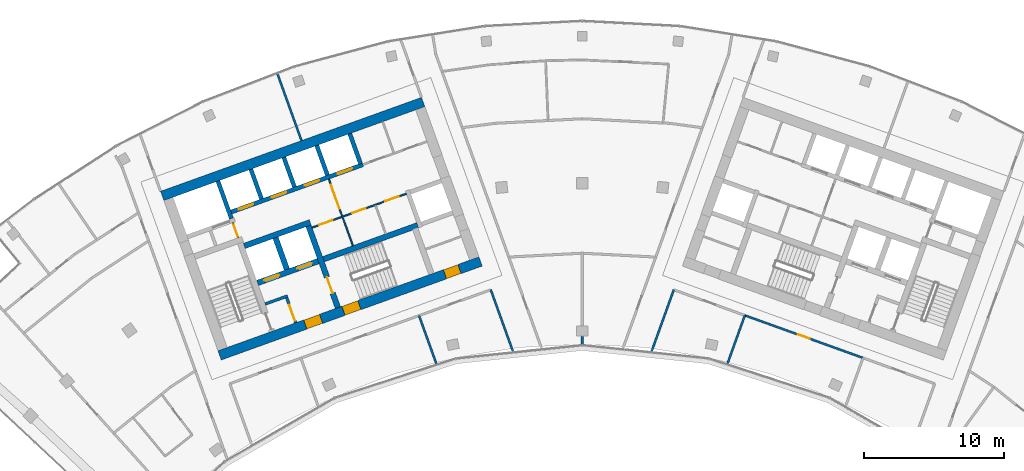
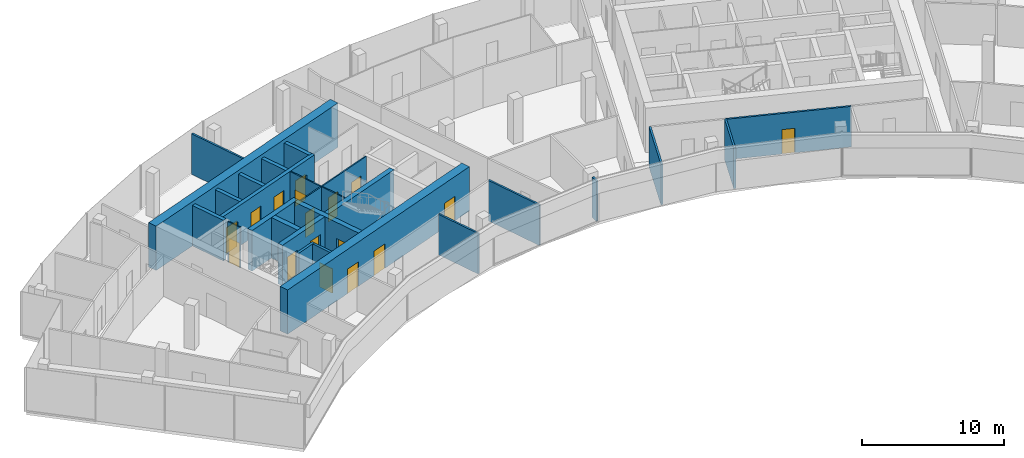
# One storey, part 13 of 18: 24 walls, 17 doors, 17 openings.
"""IFC4 building model written with IfcOpenShell, lengths in metres."""

from ifc_helpers import new_model, si_unit, direction, frame, frame_2d, origin, place, context, subcontext, project, spatial, rectangle, extrude, material, layer, layer_set, type_object, element, fill, save


model = new_model("IFC4")

# Units and contexts
model_context = context("Model", 3, precision=1e-05, world=origin(), true_north=direction((0.0, 1.0)))
body_context = subcontext(model_context, "Body", "Model", "MODEL_VIEW")
ifc_project = project(units=[si_unit("LENGTHUNIT", "METRE"), si_unit("AREAUNIT", "SQUARE_METRE"), si_unit("VOLUMEUNIT", "CUBIC_METRE"), si_unit("PLANEANGLEUNIT", "RADIAN"), si_unit("MASSUNIT", "GRAM", prefix="KILO")], contexts=[model_context])

# Site, building, storey
site_placement = place(None, origin())
site = spatial("IfcSite", under=ifc_project, at=site_placement, CompositionType="ELEMENT")
building_placement = place(site_placement, origin())
building = spatial("IfcBuilding", under=site, at=building_placement, Name="Stone Belt Terrace Tower", CompositionType="ELEMENT")
storey_placement = place(building_placement, frame((0.0, 0.0, 265.60009765625)))
storey = spatial("IfcBuildingStorey", under=building, at=storey_placement, Name="L64", CompositionType="ELEMENT", Elevation=265.60009765625)

# Wall, opening, door
ifc_material_1 = material(Name="Plasterboard partition")
ifc_layer_1 = layer(ifc_material_1, 0.10009765625)
ifc_layer_set_1 = layer_set([ifc_layer_1], Name="Core partition 100")
wall_type_1 = type_object("IfcWallType", Name="Core partition 100", PredefinedType="PARTITIONING", material=ifc_layer_set_1)
wall_1_placement = place(storey_placement, frame((-24.555908203125, 51.10400390625, 0.0), z_axis=(0.0, 0.0, 1.0), x_axis=(-0.338621735342, 0.94092258999, 0.0)))
wall_1 = element("IfcWall", 1, at=wall_1_placement, inside=storey, type_object=wall_type_1, Name="Core A wall", PredefinedType="PARTITIONING", context=body_context, shape_type="SweptSolid", body=[
    extrude(rectangle(XDim=1.14990234375, YDim=0.10009765625, at=frame_2d((0.574951171875, 0.0))), origin(), (0.0, 0.0, 1.0), 3.47998046875),
])
opening_1_placement = place(wall_1_placement, frame((0.050048828125, 0.0, 0.0)))
opening_1 = element("IfcOpeningElement", 2, at=opening_1_placement, cuts=wall_1, Name="Opening L64-C07", PredefinedType="OPENING", context=body_context, shape_type="SweptSolid", body=[
    extrude(rectangle(XDim=1.0, YDim=2.10009765625, at=frame_2d((0.5, 1.050048828125))), frame((0.0, 0.06005859375, 0.0), z_axis=(0.0, -1.0, 0.0), x_axis=(1.0, 0.0, 0.0)), (0.0, 0.0, 1.0), 0.1201171875),
])
ifc_material_2 = material(Name="Timber door leaf", Category="wood")
door_type_1 = type_object("IfcDoorType", Name="Core room door 1000", OperationType="SINGLE_SWING_LEFT", PredefinedType="DOOR", material=ifc_material_2)
door_1_placement = place(opening_1_placement, origin())
door_1 = element("IfcDoor", 3, at=door_1_placement, inside=storey, type_object=door_type_1, Name="Service lift lobby door core A", OperationType="SINGLE_SWING_LEFT", OverallHeight=2.10009765625, OverallWidth=1.0, PredefinedType="DOOR", context=body_context, shape_type="SweptSolid", body=[
    extrude(rectangle(XDim=1.0, YDim=2.10009765625, at=frame_2d((0.5, 1.050048828125))), frame((0.0, 0.02490234375, 0.0), z_axis=(0.0, -1.0, 0.0), x_axis=(1.0, 0.0, 0.0)), (0.0, 0.0, 1.0), 0.050048828125),
])
fill(opening_1, door_1)

# Wall, openings, doors
wall_2_placement = place(storey_placement, frame((-19.29052734375, 51.829833984375, 0.0), z_axis=(0.0, 0.0, 1.0), x_axis=(0.94092179465, 0.338623945331, 0.0)))
wall_2 = element("IfcWall", 4, at=wall_2_placement, inside=storey, type_object=wall_type_1, Name="Core A wall", PredefinedType="PARTITIONING", context=body_context, shape_type="SweptSolid", body=[
    extrude(rectangle(XDim=7.14990234375, YDim=0.10009765625, at=frame_2d((3.574951171875, 0.0))), origin(), (0.0, 0.0, 1.0), 3.47998046875),
])
opening_2_placement = place(wall_2_placement, frame((0.550048828125, 0.0, 0.0)))
opening_2 = element("IfcOpeningElement", 5, at=opening_2_placement, cuts=wall_2, Name="Opening L64-C03", PredefinedType="OPENING", context=body_context, shape_type="SweptSolid", body=[
    extrude(rectangle(XDim=1.0, YDim=2.10009765625, at=frame_2d((0.5, 1.050048828125))), frame((0.0, 0.06005859375, 0.0), z_axis=(0.0, -1.0, 0.0), x_axis=(1.0, 0.0, 0.0)), (0.0, 0.0, 1.0), 0.1201171875),
])
opening_3_placement = place(wall_2_placement, frame((3.050048828125, 0.0, 0.0)))
opening_3 = element("IfcOpeningElement", 6, at=opening_3_placement, cuts=wall_2, Name="Opening L64-C04", PredefinedType="OPENING", context=body_context, shape_type="SweptSolid", body=[
    extrude(rectangle(XDim=1.0, YDim=2.10009765625, at=frame_2d((0.5, 1.050048828125))), frame((0.0, 0.06005859375, 0.0), z_axis=(0.0, -1.0, 0.0), x_axis=(1.0, 0.0, 0.0)), (0.0, 0.0, 1.0), 0.1201171875),
])
opening_4_placement = place(wall_2_placement, frame((5.550048828125, 0.0, 0.0)))
opening_4 = element("IfcOpeningElement", 7, at=opening_4_placement, cuts=wall_2, Name="Opening L64-C05", PredefinedType="OPENING", context=body_context, shape_type="SweptSolid", body=[
    extrude(rectangle(XDim=1.0, YDim=2.10009765625, at=frame_2d((0.5, 1.050048828125))), frame((0.0, 0.06005859375, 0.0), z_axis=(0.0, -1.0, 0.0), x_axis=(1.0, 0.0, 0.0)), (0.0, 0.0, 1.0), 0.1201171875),
])
door_2_placement = place(opening_2_placement, origin())
door_2 = element("IfcDoor", 8, at=door_2_placement, inside=storey, type_object=door_type_1, Name="Door to Housekeeping store core A", OperationType="SINGLE_SWING_LEFT", OverallHeight=2.10009765625, OverallWidth=1.0, PredefinedType="DOOR", context=body_context, shape_type="SweptSolid", body=[
    extrude(rectangle(XDim=1.0, YDim=2.10009765625, at=frame_2d((0.5, 1.050048828125))), frame((0.0, 0.02490234375, 0.0), z_axis=(0.0, -1.0, 0.0), x_axis=(1.0, 0.0, 0.0)), (0.0, 0.0, 1.0), 0.050048828125),
])
fill(opening_2, door_2)
door_3_placement = place(opening_3_placement, origin())
door_3 = element("IfcDoor", 9, at=door_3_placement, inside=storey, type_object=door_type_1, Name="Door to Tenant storage room core A", OperationType="SINGLE_SWING_RIGHT", OverallHeight=2.10009765625, OverallWidth=1.0, PredefinedType="DOOR", context=body_context, shape_type="SweptSolid", body=[
    extrude(rectangle(XDim=1.0, YDim=2.10009765625, at=frame_2d((0.5, 1.050048828125))), frame((0.0, 0.02490234375, 0.0), z_axis=(0.0, -1.0, 0.0), x_axis=(1.0, 0.0, 0.0)), (0.0, 0.0, 1.0), 0.050048828125),
])
fill(opening_3, door_3)
door_4_placement = place(opening_4_placement, origin())
door_4 = element("IfcDoor", 10, at=door_4_placement, inside=storey, type_object=door_type_1, Name="Door to Communications hub room core A", OperationType="SINGLE_SWING_LEFT", OverallHeight=2.10009765625, OverallWidth=1.0, PredefinedType="DOOR", context=body_context, shape_type="SweptSolid", body=[
    extrude(rectangle(XDim=1.0, YDim=2.10009765625, at=frame_2d((0.5, 1.050048828125))), frame((0.0, 0.02490234375, 0.0), z_axis=(0.0, -1.0, 0.0), x_axis=(1.0, 0.0, 0.0)), (0.0, 0.0, 1.0), 0.050048828125),
])
fill(opening_4, door_4)

# Wall, opening, door
wall_3_placement = place(storey_placement, frame((-16.38134765625, 50.53857421875, 0.0), z_axis=(0.0, 0.0, 1.0), x_axis=(-0.33860476744, 0.940928696271, 0.0)))
wall_3 = element("IfcWall", 11, at=wall_3_placement, inside=storey, type_object=wall_type_1, Name="Core A wall", PredefinedType="PARTITIONING", context=body_context, shape_type="SweptSolid", body=[
    extrude(rectangle(XDim=5.050048828125, YDim=0.10009765625, at=frame_2d((2.52490234375, 0.0))), origin(), (0.0, 0.0, 1.0), 3.47998046875),
])
opening_5_placement = place(wall_3_placement, frame((2.800048828125, 0.0, 0.0)))
opening_5 = element("IfcOpeningElement", 12, at=opening_5_placement, cuts=wall_3, Name="Opening L64-C08", PredefinedType="OPENING", context=body_context, shape_type="SweptSolid", body=[
    extrude(rectangle(XDim=1.800048828125, YDim=2.10009765625, at=frame_2d((0.89990234375, 1.050048828125))), frame((0.0, 0.06005859375, 0.0), z_axis=(0.0, -1.0, 0.0), x_axis=(1.0, 0.0, 0.0)), (0.0, 0.0, 1.0), 0.1201171875),
])
ifc_material_3 = material(Name="Glazed aluminium door leaf", Category="aluminium")
door_type_2 = type_object("IfcDoorType", Name="Lift lobby entrance door 1800", OperationType="DOUBLE_DOOR_SINGLE_SWING", PredefinedType="DOOR", material=ifc_material_3)
door_5_placement = place(opening_5_placement, origin())
door_5 = element("IfcDoor", 13, at=door_5_placement, inside=storey, type_object=door_type_2, Name="Lift lobby double door core A", OperationType="DOUBLE_DOOR_SINGLE_SWING", OverallHeight=2.10009765625, OverallWidth=1.800048828125, PredefinedType="DOOR", context=body_context, shape_type="SweptSolid", body=[
    extrude(rectangle(XDim=1.800048828125, YDim=2.10009765625, at=frame_2d((0.89990234375, 1.050048828125))), frame((0.0, 0.02490234375, 0.0), z_axis=(0.0, -1.0, 0.0), x_axis=(1.0, 0.0, 0.0)), (0.0, 0.0, 1.0), 0.050048828125),
])
fill(opening_5, door_5)

# Wall, openings, doors
ifc_material_4 = material(Name="Concrete B60", Category="concrete")
ifc_layer_2 = layer(ifc_material_4, 0.699951171875)
ifc_layer_set_2 = layer_set([ifc_layer_2], Name="Core wall 700 B60")
wall_type_2 = type_object("IfcWallType", Name="Core wall 700 B60", PredefinedType="SHEAR", material=ifc_layer_set_2)
wall_4_placement = place(storey_placement, frame((-25.890869140625, 42.705810546875, 0.0), z_axis=(0.0, 0.0, 1.0), x_axis=(0.940925130461, 0.338614676094, 0.0)))
wall_4 = element("IfcWall", 14, at=wall_4_placement, inside=storey, type_object=wall_type_2, Name="Core A wall concave L64", PredefinedType="SHEAR", context=body_context, shape_type="SweptSolid", body=[
    extrude(rectangle(XDim=19.800048828125, YDim=0.699951171875, at=frame_2d((9.89990234375, 0.0))), origin(), (0.0, 0.0, 1.0), 3.7998046875),
])
opening_6_placement = place(wall_4_placement, frame((6.5, 0.0, 0.0)))
opening_6 = element("IfcOpeningElement", 15, at=opening_6_placement, cuts=wall_4, Name="Opening L64-C12", PredefinedType="OPENING", context=body_context, shape_type="SweptSolid", body=[
    extrude(rectangle(XDim=1.199951171875, YDim=2.10009765625, at=frame_2d((0.60009765625, 1.050048828125))), frame((0.0, 0.35986328125, 0.0), z_axis=(0.0, -1.0, 0.0), x_axis=(1.0, 0.0, 0.0)), (0.0, 0.0, 1.0), 0.719970703125),
])
opening_7_placement = place(wall_4_placement, frame((9.39990234375, 0.0, 0.0)))
opening_7 = element("IfcOpeningElement", 16, at=opening_7_placement, cuts=wall_4, Name="Opening L64-C14", PredefinedType="OPENING", context=body_context, shape_type="SweptSolid", body=[
    extrude(rectangle(XDim=1.199951171875, YDim=2.10009765625, at=frame_2d((0.60009765625, 1.050048828125))), frame((0.0, 0.35986328125, 0.0), z_axis=(0.0, -1.0, 0.0), x_axis=(1.0, 0.0, 0.0)), (0.0, 0.0, 1.0), 0.719970703125),
])
opening_8_placement = place(wall_4_placement, frame((17.10009765625, 0.0, 0.0)))
opening_8 = element("IfcOpeningElement", 17, at=opening_8_placement, cuts=wall_4, Name="Opening L64-C16", PredefinedType="OPENING", context=body_context, shape_type="SweptSolid", body=[
    extrude(rectangle(XDim=1.10009765625, YDim=2.10009765625, at=frame_2d((0.550048828125, 1.050048828125))), frame((0.0, 0.35986328125, 0.0), z_axis=(0.0, -1.0, 0.0), x_axis=(1.0, 0.0, 0.0)), (0.0, 0.0, 1.0), 0.719970703125),
])
door_type_3 = type_object("IfcDoorType", Name="Core room door 1100", OperationType="SINGLE_SWING_LEFT", PredefinedType="DOOR", material=ifc_material_2)
door_6_placement = place(opening_8_placement, origin())
door_6 = element("IfcDoor", 18, at=door_6_placement, inside=storey, type_object=door_type_3, Name="Door to Cleaner's store core A", OperationType="SINGLE_SWING_LEFT", OverallHeight=2.10009765625, OverallWidth=1.10009765625, PredefinedType="DOOR", context=body_context, shape_type="SweptSolid", body=[
    extrude(rectangle(XDim=1.10009765625, YDim=2.10009765625, at=frame_2d((0.550048828125, 1.050048828125))), frame((0.0, 0.330078125, 0.0), z_axis=(0.0, -1.0, 0.0), x_axis=(1.0, 0.0, 0.0)), (0.0, 0.0, 1.0), 0.659912109375),
])
fill(opening_8, door_6)
ifc_material_5 = material(Name="Steel door leaf", Category="steel")
door_type_4 = type_object("IfcDoorType", Name="Fire-fighting lobby door 1200", OperationType="SINGLE_SWING_LEFT", PredefinedType="DOOR", material=ifc_material_5)
door_7_placement = place(opening_6_placement, origin())
door_7 = element("IfcDoor", 19, at=door_7_placement, inside=storey, type_object=door_type_4, Name="Fire-fighting lobby door core A", OperationType="SINGLE_SWING_LEFT", OverallHeight=2.10009765625, OverallWidth=1.199951171875, PredefinedType="DOOR", context=body_context, shape_type="SweptSolid", body=[
    extrude(rectangle(XDim=1.199951171875, YDim=2.10009765625, at=frame_2d((0.60009765625, 1.050048828125))), frame((0.0, 0.330078125, 0.0), z_axis=(0.0, -1.0, 0.0), x_axis=(1.0, 0.0, 0.0)), (0.0, 0.0, 1.0), 0.659912109375),
])
fill(opening_6, door_7)
door_type_5 = type_object("IfcDoorType", Name="Stair door 1200", OperationType="SINGLE_SWING_LEFT", PredefinedType="DOOR", material=ifc_material_5)
door_8_placement = place(opening_7_placement, origin())
door_8 = element("IfcDoor", 20, at=door_8_placement, inside=storey, type_object=door_type_5, Name="Stair 2 exit door core A", OperationType="SINGLE_SWING_RIGHT", OverallHeight=2.10009765625, OverallWidth=1.199951171875, PredefinedType="DOOR", context=body_context, shape_type="SweptSolid", body=[
    extrude(rectangle(XDim=1.199951171875, YDim=2.10009765625, at=frame_2d((0.60009765625, 1.050048828125))), frame((0.0, 0.330078125, 0.0), z_axis=(0.0, -1.0, 0.0), x_axis=(1.0, 0.0, 0.0)), (0.0, 0.0, 1.0), 0.659912109375),
])
fill(opening_7, door_8)

# Walls
wall_5_placement = place(storey_placement, frame((-29.988037109375, 54.0908203125, 0.0), z_axis=(0.0, 0.0, 1.0), x_axis=(0.940919787944, 0.33862952124, 0.0)))
element("IfcWall", 21, at=wall_5_placement, inside=storey, type_object=wall_type_2, Name="Core A wall convex L64", PredefinedType="SHEAR", context=body_context, shape_type="SweptSolid", body=[
    extrude(rectangle(XDim=19.7998046875, YDim=0.699951171875, at=frame_2d((9.89990234375, 0.0))), origin(), (0.0, 0.0, 1.0), 3.7998046875),
])
ifc_material_6 = material(Name="Concrete B80", Category="concrete")
ifc_layer_3 = layer(ifc_material_6, 0.39990234375)
ifc_layer_set_3 = layer_set([ifc_layer_3], Name="Fire-fighting lift shaft wall 400")
wall_type_3 = type_object("IfcWallType", Name="Fire-fighting lift shaft wall 400", PredefinedType="SHEAR", material=ifc_layer_set_3)
wall_6_placement = place(storey_placement, frame((-24.130615234375, 50.512939453125, 0.0), z_axis=(0.0, 0.0, 1.0), x_axis=(0.94091168377, 0.338652038744, 0.0)))
element("IfcWall", 22, at=wall_6_placement, inside=storey, type_object=wall_type_3, Name="Core A wall", PredefinedType="SHEAR", context=body_context, shape_type="SweptSolid", body=[
    extrude(rectangle(XDim=5.000244140625, YDim=0.39990234375, at=frame_2d((2.5, 0.0))), origin(), (0.0, 0.0, 1.0), 3.47998046875),
])
wall_7_placement = place(storey_placement, frame((-21.0859375, 48.845458984375, 0.0), z_axis=(0.0, 0.0, 1.0), x_axis=(-0.338629416206, 0.940919825745, 0.0)))
element("IfcWall", 23, at=wall_7_placement, inside=storey, type_object=wall_type_3, Name="Core A wall", PredefinedType="SHEAR", context=body_context, shape_type="SweptSolid", body=[
    extrude(rectangle(XDim=2.400146484375, YDim=0.39990234375, at=frame_2d((1.2001953125, 0.0))), origin(), (0.0, 0.0, 1.0), 3.47998046875),
])
ifc_layer_4 = layer(ifc_material_6, 0.300048828125)
ifc_layer_set_4 = layer_set([ifc_layer_4], Name="Lift shaft wall 300")
wall_type_4 = type_object("IfcWallType", Name="Lift shaft wall 300", PredefinedType="SHEAR", material=ifc_layer_set_4)
wall_8_placement = place(storey_placement, frame((-25.046875, 52.46826171875, 0.0), z_axis=(0.0, 0.0, 1.0), x_axis=(-0.338549588058, 0.940948551423, 0.0)))
element("IfcWall", 24, at=wall_8_placement, inside=storey, type_object=wall_type_4, Name="Core A wall", PredefinedType="SHEAR", context=body_context, shape_type="SweptSolid", body=[
    extrude(rectangle(XDim=2.849853515625, YDim=0.300048828125, at=frame_2d((1.4248046875, 0.0))), origin(), (0.0, 0.0, 1.0), 3.47998046875),
])

# Wall, openings, doors
wall_9_placement = place(storey_placement, frame((-25.05810546875, 52.9423828125, 0.0), z_axis=(0.0, 0.0, 1.0), x_axis=(0.940924441602, 0.338616590255, 0.0)))
wall_9 = element("IfcWall", 25, at=wall_9_placement, inside=storey, type_object=wall_type_4, Name="Core A wall", PredefinedType="SHEAR", context=body_context, shape_type="SweptSolid", body=[
    extrude(rectangle(XDim=10.000244140625, YDim=0.300048828125, at=frame_2d((5.0, 0.0))), origin(), (0.0, 0.0, 1.0), 3.47998046875),
])
opening_9_placement = place(wall_9_placement, frame((0.570068359375, 0.0, 0.0)))
opening_9 = element("IfcOpeningElement", 26, at=opening_9_placement, cuts=wall_9, Name="Opening L64-LD01", PredefinedType="OPENING", context=body_context, shape_type="SweptSolid", body=[
    extrude(rectangle(XDim=1.10009765625, YDim=2.199951171875, at=frame_2d((0.550048828125, 1.10009765625))), frame((0.0, 0.159912109375, 0.0), z_axis=(0.0, -1.0, 0.0), x_axis=(1.0, 0.0, 0.0)), (0.0, 0.0, 1.0), 0.320068359375),
])
opening_10_placement = place(wall_9_placement, frame((3.070068359375, 0.0, 0.0)))
opening_10 = element("IfcOpeningElement", 27, at=opening_10_placement, cuts=wall_9, Name="Opening L64-LD02", PredefinedType="OPENING", context=body_context, shape_type="SweptSolid", body=[
    extrude(rectangle(XDim=1.10009765625, YDim=2.199951171875, at=frame_2d((0.550048828125, 1.10009765625))), frame((0.0, 0.159912109375, 0.0), z_axis=(0.0, -1.0, 0.0), x_axis=(1.0, 0.0, 0.0)), (0.0, 0.0, 1.0), 0.320068359375),
])
opening_11_placement = place(wall_9_placement, frame((5.570068359375, 0.0, 0.0)))
opening_11 = element("IfcOpeningElement", 28, at=opening_11_placement, cuts=wall_9, Name="Opening L64-LD03", PredefinedType="OPENING", context=body_context, shape_type="SweptSolid", body=[
    extrude(rectangle(XDim=1.10009765625, YDim=2.199951171875, at=frame_2d((0.550048828125, 1.10009765625))), frame((0.0, 0.159912109375, 0.0), z_axis=(0.0, -1.0, 0.0), x_axis=(1.0, 0.0, 0.0)), (0.0, 0.0, 1.0), 0.320068359375),
])
opening_12_placement = place(wall_9_placement, frame((8.070068359375, 0.0, 0.0)))
opening_12 = element("IfcOpeningElement", 29, at=opening_12_placement, cuts=wall_9, Name="Opening L64-LD04", PredefinedType="OPENING", context=body_context, shape_type="SweptSolid", body=[
    extrude(rectangle(XDim=1.10009765625, YDim=2.199951171875, at=frame_2d((0.550048828125, 1.10009765625))), frame((0.0, 0.159912109375, 0.0), z_axis=(0.0, -1.0, 0.0), x_axis=(1.0, 0.0, 0.0)), (0.0, 0.0, 1.0), 0.320068359375),
])
ifc_material_7 = material(Name="Stainless steel door leaf", Category="steel")
door_type_6 = type_object("IfcDoorType", Name="Landing door 1100", OperationType="SLIDING_TO_LEFT", PredefinedType="DOOR", material=ifc_material_7)
door_9_placement = place(opening_9_placement, origin())
door_9 = element("IfcDoor", 30, at=door_9_placement, inside=storey, type_object=door_type_6, Name="Landing door HR1 core A", OperationType="SLIDING_TO_LEFT", OverallHeight=2.199951171875, OverallWidth=1.10009765625, PredefinedType="DOOR", context=body_context, shape_type="SweptSolid", body=[
    extrude(rectangle(XDim=1.10009765625, YDim=2.199951171875, at=frame_2d((0.550048828125, 1.10009765625))), frame((0.0, 0.02490234375, 0.0), z_axis=(0.0, -1.0, 0.0), x_axis=(1.0, 0.0, 0.0)), (0.0, 0.0, 1.0), 0.050048828125),
])
fill(opening_9, door_9)
door_10_placement = place(opening_10_placement, origin())
door_10 = element("IfcDoor", 31, at=door_10_placement, inside=storey, type_object=door_type_6, Name="Landing door HR2 core A", OperationType="SLIDING_TO_LEFT", OverallHeight=2.199951171875, OverallWidth=1.10009765625, PredefinedType="DOOR", context=body_context, shape_type="SweptSolid", body=[
    extrude(rectangle(XDim=1.10009765625, YDim=2.199951171875, at=frame_2d((0.550048828125, 1.10009765625))), frame((0.0, 0.02490234375, 0.0), z_axis=(0.0, -1.0, 0.0), x_axis=(1.0, 0.0, 0.0)), (0.0, 0.0, 1.0), 0.050048828125),
])
fill(opening_10, door_10)
door_11_placement = place(opening_11_placement, origin())
door_11 = element("IfcDoor", 32, at=door_11_placement, inside=storey, type_object=door_type_6, Name="Landing door HR3 core A", OperationType="SLIDING_TO_LEFT", OverallHeight=2.199951171875, OverallWidth=1.10009765625, PredefinedType="DOOR", context=body_context, shape_type="SweptSolid", body=[
    extrude(rectangle(XDim=1.10009765625, YDim=2.199951171875, at=frame_2d((0.550048828125, 1.10009765625))), frame((0.0, 0.02490234375, 0.0), z_axis=(0.0, -1.0, 0.0), x_axis=(1.0, 0.0, 0.0)), (0.0, 0.0, 1.0), 0.050048828125),
])
fill(opening_11, door_11)
door_12_placement = place(opening_12_placement, origin())
door_12 = element("IfcDoor", 33, at=door_12_placement, inside=storey, type_object=door_type_6, Name="Landing door HR4 core A", OperationType="SLIDING_TO_LEFT", OverallHeight=2.199951171875, OverallWidth=1.10009765625, PredefinedType="DOOR", context=body_context, shape_type="SweptSolid", body=[
    extrude(rectangle(XDim=1.10009765625, YDim=2.199951171875, at=frame_2d((0.550048828125, 1.10009765625))), frame((0.0, 0.02490234375, 0.0), z_axis=(0.0, -1.0, 0.0), x_axis=(1.0, 0.0, 0.0)), (0.0, 0.0, 1.0), 0.050048828125),
])
fill(opening_12, door_12)

# Walls
wall_10_placement = place(storey_placement, frame((-22.897705078125, 53.87939453125, 0.0), z_axis=(0.0, 0.0, 1.0), x_axis=(-0.338535034312, 0.940953787677, 0.0)))
element("IfcWall", 34, at=wall_10_placement, inside=storey, type_object=wall_type_4, Name="Core A wall", PredefinedType="SHEAR", context=body_context, shape_type="SweptSolid", body=[
    extrude(rectangle(XDim=2.25, YDim=0.300048828125, at=frame_2d((1.125, 0.0))), origin(), (0.0, 0.0, 1.0), 3.47998046875),
])
wall_11_placement = place(storey_placement, frame((-20.54541015625, 54.72607421875, 0.0), z_axis=(0.0, 0.0, 1.0), x_axis=(-0.338569601369, 0.940941350472, 0.0)))
element("IfcWall", 35, at=wall_11_placement, inside=storey, type_object=wall_type_4, Name="Core A wall", PredefinedType="SHEAR", context=body_context, shape_type="SweptSolid", body=[
    extrude(rectangle(XDim=2.249755859375, YDim=0.300048828125, at=frame_2d((1.125, 0.0))), origin(), (0.0, 0.0, 1.0), 3.47998046875),
])
wall_12_placement = place(storey_placement, frame((-18.193115234375, 55.572509765625, 0.0), z_axis=(0.0, 0.0, 1.0), x_axis=(-0.338535034312, 0.940953787677, 0.0)))
element("IfcWall", 36, at=wall_12_placement, inside=storey, type_object=wall_type_4, Name="Core A wall", PredefinedType="SHEAR", context=body_context, shape_type="SweptSolid", body=[
    extrude(rectangle(XDim=2.25, YDim=0.300048828125, at=frame_2d((1.125, 0.0))), origin(), (0.0, 0.0, 1.0), 3.47998046875),
])
wall_13_placement = place(storey_placement, frame((-15.82373046875, 56.3720703125, 0.0), z_axis=(0.0, 0.0, 1.0), x_axis=(-0.338621735342, 0.94092258999, 0.0)))
element("IfcWall", 37, at=wall_13_placement, inside=storey, type_object=wall_type_4, Name="Core A wall", PredefinedType="SHEAR", context=body_context, shape_type="SweptSolid", body=[
    extrude(rectangle(XDim=2.300048828125, YDim=0.300048828125, at=frame_2d((1.14990234375, 0.0))), origin(), (0.0, 0.0, 1.0), 3.47998046875),
])
ifc_material_8 = material(Name="Gypsum board partition")
ifc_layer_5 = layer(ifc_material_8, 0.14990234375)
ifc_layer_set_5 = layer_set([ifc_layer_5], Name="PARTITION 150 EI 60")
wall_type_5 = type_object("IfcWallType", Name="PARTITION 150 EI 60", PredefinedType="PARTITIONING", material=ifc_layer_set_5)
wall_14_placement = place(storey_placement, frame((-4.946044921875, 42.980224609375, 0.0), z_axis=(0.0, 0.0, 1.0), x_axis=(-0.338699196287, 0.940894709537, 0.0)))
element("IfcWall", 38, at=wall_14_placement, inside=storey, type_object=wall_type_5, Name="L64/wall/i009", PredefinedType="PARTITIONING", context=body_context, shape_type="SweptSolid", body=[
    extrude(rectangle(XDim=4.691162109375, YDim=0.14990234375, at=frame_2d((2.345703125, 0.0))), origin(), (0.0, 0.0, 1.0), 3.47998046875),
])
wall_15_placement = place(storey_placement, frame((-11.654052734375, 45.5439453125, 0.0), z_axis=(0.0, 0.0, 1.0), x_axis=(0.33873365489, -0.940882304566, 0.0)))
element("IfcWall", 39, at=wall_15_placement, inside=storey, type_object=wall_type_5, Name="L64/wall/i020", PredefinedType="PARTITIONING", context=body_context, shape_type="SweptSolid", body=[
    extrude(rectangle(XDim=3.65625, YDim=0.14990234375, at=frame_2d((1.828125, 0.0))), origin(), (0.0, 0.0, 1.0), 3.47998046875),
])
wall_16_placement = place(storey_placement, frame((-21.7529296875, 62.783203125, 0.0), z_axis=(0.0, 0.0, 1.0), x_axis=(0.338692023406, -0.940897291568, 0.0)))
element("IfcWall", 40, at=wall_16_placement, inside=storey, type_object=wall_type_5, Name="L64/wall/i021", PredefinedType="PARTITIONING", context=body_context, shape_type="SweptSolid", body=[
    extrude(rectangle(XDim=5.0400390625, YDim=0.14990234375, at=frame_2d((2.52001953125, 0.0))), origin(), (0.0, 0.0, 1.0), 3.47998046875),
])
wall_17_placement = place(storey_placement, frame((6.534912109375, 47.39404296875, 0.0), z_axis=(0.0, 0.0, 1.0), x_axis=(-0.338699196287, -0.940894709537, 0.0)))
element("IfcWall", 41, at=wall_17_placement, inside=storey, type_object=wall_type_5, Name="L64/wall/i022", PredefinedType="PARTITIONING", context=body_context, shape_type="SweptSolid", body=[
    extrude(rectangle(XDim=4.691162109375, YDim=0.14990234375, at=frame_2d((2.345703125, 0.0))), origin(), (0.0, 0.0, 1.0), 3.47998046875),
])

# Wall, opening, door
wall_18_placement = place(storey_placement, frame((20.047119140625, 42.52392578125, 0.0), z_axis=(0.0, 0.0, 1.0), x_axis=(-0.9409189555, 0.338631834269, 0.0)))
wall_18 = element("IfcWall", 42, at=wall_18_placement, inside=storey, type_object=wall_type_5, Name="L64/wall/i037", PredefinedType="PARTITIONING", context=body_context, shape_type="SweptSolid", body=[
    extrude(rectangle(XDim=8.977294921875, YDim=0.14990234375, at=frame_2d((4.48876953125, 0.0))), origin(), (0.0, 0.0, 1.0), 3.47998046875),
])
opening_13_placement = place(wall_18_placement, frame((4.03857421875, 0.0, 0.0)))
opening_13 = element("IfcOpeningElement", 43, at=opening_13_placement, cuts=wall_18, Name="Opening D-E1-07", PredefinedType="OPENING", context=body_context, shape_type="SweptSolid", body=[
    extrude(rectangle(XDim=0.89990234375, YDim=2.10009765625, at=frame_2d((0.449951171875, 1.050048828125))), frame((0.0, 0.0849609375, 0.0), z_axis=(0.0, -1.0, 0.0), x_axis=(1.0, 0.0, 0.0)), (0.0, 0.0, 1.0), 0.169921875),
])
door_type_7 = type_object("IfcDoorType", Name="OFFICE DOOR 900 X 2100", OperationType="NOTDEFINED", PredefinedType="DOOR", material=ifc_material_2)
door_13_placement = place(opening_13_placement, origin())
door_13 = element("IfcDoor", 44, at=door_13_placement, inside=storey, type_object=door_type_7, Name="L64/door/i07", OperationType="SINGLE_SWING_RIGHT", OverallHeight=2.10009765625, OverallWidth=0.89990234375, PredefinedType="DOOR", context=body_context, shape_type="SweptSolid", body=[
    extrude(rectangle(XDim=0.89990234375, YDim=2.10009765625, at=frame_2d((0.449951171875, 1.050048828125))), frame((0.0, 0.02490234375, 0.0), z_axis=(0.0, -1.0, 0.0), x_axis=(1.0, 0.0, 0.0)), (0.0, 0.0, 1.0), 0.050048828125),
])
fill(opening_13, door_13)

# Walls
wall_19_placement = place(storey_placement, frame((11.60595703125, 45.56201171875, 0.0), z_axis=(0.0, 0.0, 1.0), x_axis=(-0.338520972253, -0.940958846786, 0.0)))
element("IfcWall", 45, at=wall_19_placement, inside=storey, type_object=wall_type_5, Name="L64/wall/i039", PredefinedType="PARTITIONING", context=body_context, shape_type="SweptSolid", body=[
    extrude(rectangle(XDim=3.65869140625, YDim=0.14990234375, at=frame_2d((1.829345703125, 0.0))), origin(), (0.0, 0.0, 1.0), 3.47998046875),
])
wall_20_placement = place(storey_placement, frame((0.0, 44.06494140625, 0.0), z_axis=(0.0, 0.0, 1.0), x_axis=(0.0, -1.0, 0.0)))
element("IfcWall", 46, at=wall_20_placement, inside=storey, type_object=wall_type_5, Name="L64/wall/i076", PredefinedType="PARTITIONING", context=body_context, shape_type="SweptSolid", body=[
    extrude(rectangle(XDim=0.56494140625, YDim=0.14990234375, at=frame_2d((0.282470703125, 0.0))), origin(), (0.0, 0.0, 1.0), 3.47998046875),
])
ifc_material_9 = material(Name="Concrete masonry block", Category="masonry")
ifc_layer_6 = layer(ifc_material_9, 0.199951171875)
ifc_layer_set_6 = layer_set([ifc_layer_6], Name="Rated lobby wall 200")
wall_type_6 = type_object("IfcWallType", Name="Rated lobby wall 200", PredefinedType="PARTITIONING", material=ifc_layer_set_6)
wall_21_placement = place(storey_placement, frame((-22.640625, 46.373046875, 0.0), z_axis=(0.0, 0.0, 1.0), x_axis=(0.940966110313, 0.338500781747, 0.0)))
element("IfcWall", 47, at=wall_21_placement, inside=storey, type_object=wall_type_6, Name="Core A wall", PredefinedType="PARTITIONING", context=body_context, shape_type="SweptSolid", body=[
    extrude(rectangle(XDim=1.699951171875, YDim=0.199951171875, at=frame_2d((0.85009765625, 0.0))), origin(), (0.0, 0.0, 1.0), 3.47998046875),
])

# Wall, opening, door
wall_22_placement = place(storey_placement, frame((-20.4580078125, 45.032958984375, 0.0), z_axis=(0.0, 0.0, 1.0), x_axis=(-0.338573865316, 0.940939816208, 0.0)))
wall_22 = element("IfcWall", 48, at=wall_22_placement, inside=storey, type_object=wall_type_6, Name="Core A wall", PredefinedType="PARTITIONING", context=body_context, shape_type="SweptSolid", body=[
    extrude(rectangle(XDim=1.900146484375, YDim=0.199951171875, at=frame_2d((0.9501953125, 0.0))), origin(), (0.0, 0.0, 1.0), 3.47998046875),
])
opening_14_placement = place(wall_22_placement, frame((0.14990234375, 0.0, 0.0)))
opening_14 = element("IfcOpeningElement", 49, at=opening_14_placement, cuts=wall_22, Name="Opening L64-C11", PredefinedType="OPENING", context=body_context, shape_type="SweptSolid", body=[
    extrude(rectangle(XDim=1.199951171875, YDim=2.10009765625, at=frame_2d((0.60009765625, 1.050048828125))), frame((0.0, 0.10986328125, 0.0), z_axis=(0.0, -1.0, 0.0), x_axis=(1.0, 0.0, 0.0)), (0.0, 0.0, 1.0), 0.219970703125),
])
door_14_placement = place(opening_14_placement, origin())
door_14 = element("IfcDoor", 50, at=door_14_placement, inside=storey, type_object=door_type_5, Name="Stair airlock door core A", OperationType="SINGLE_SWING_LEFT", OverallHeight=2.10009765625, OverallWidth=1.199951171875, PredefinedType="DOOR", context=body_context, shape_type="SweptSolid", body=[
    extrude(rectangle(XDim=1.199951171875, YDim=2.10009765625, at=frame_2d((0.60009765625, 1.050048828125))), frame((0.0, 0.02490234375, 0.0), z_axis=(0.0, -1.0, 0.0), x_axis=(1.0, 0.0, 0.0)), (0.0, 0.0, 1.0), 0.050048828125),
])
fill(opening_14, door_14)

# Wall, openings, doors
ifc_layer_7 = layer(ifc_material_6, 0.39990234375)
ifc_layer_set_7 = layer_set([ifc_layer_7], Name="Stair enclosure wall 400")
wall_type_7 = type_object("IfcWallType", Name="Stair enclosure wall 400", PredefinedType="SHEAR", material=ifc_layer_set_7)
wall_23_placement = place(storey_placement, frame((-23.182373046875, 47.87841796875, 0.0), z_axis=(0.0, 0.0, 1.0), x_axis=(0.940921731919, 0.338624119641, 0.0)))
wall_23 = element("IfcWall", 51, at=wall_23_placement, inside=storey, type_object=wall_type_7, Name="Core A wall", PredefinedType="SHEAR", context=body_context, shape_type="SweptSolid", body=[
    extrude(rectangle(XDim=12.14990234375, YDim=0.39990234375, at=frame_2d((6.074951171875, 0.0))), origin(), (0.0, 0.0, 1.0), 3.47998046875),
])
opening_15_placement = place(wall_23_placement, frame((0.52001953125, 0.0, 0.0)))
opening_15 = element("IfcOpeningElement", 52, at=opening_15_placement, cuts=wall_23, Name="Opening L64-LD05", PredefinedType="OPENING", context=body_context, shape_type="SweptSolid", body=[
    extrude(rectangle(XDim=1.10009765625, YDim=2.199951171875, at=frame_2d((0.550048828125, 1.10009765625))), frame((0.0, 0.2099609375, 0.0), z_axis=(0.0, -1.0, 0.0), x_axis=(1.0, 0.0, 0.0)), (0.0, 0.0, 1.0), 0.419921875),
])
opening_16_placement = place(wall_23_placement, frame((3.02001953125, 0.0, 0.0)))
opening_16 = element("IfcOpeningElement", 53, at=opening_16_placement, cuts=wall_23, Name="Opening L64-LD06", PredefinedType="OPENING", context=body_context, shape_type="SweptSolid", body=[
    extrude(rectangle(XDim=1.10009765625, YDim=2.199951171875, at=frame_2d((0.550048828125, 1.10009765625))), frame((0.0, 0.2099609375, 0.0), z_axis=(0.0, -1.0, 0.0), x_axis=(1.0, 0.0, 0.0)), (0.0, 0.0, 1.0), 0.419921875),
])
door_15_placement = place(opening_15_placement, origin())
door_15 = element("IfcDoor", 54, at=door_15_placement, inside=storey, type_object=door_type_6, Name="Landing door FF1 core A", OperationType="SLIDING_TO_LEFT", OverallHeight=2.199951171875, OverallWidth=1.10009765625, PredefinedType="DOOR", context=body_context, shape_type="SweptSolid", body=[
    extrude(rectangle(XDim=1.10009765625, YDim=2.199951171875, at=frame_2d((0.550048828125, 1.10009765625))), frame((0.0, 0.02490234375, 0.0), z_axis=(0.0, -1.0, 0.0), x_axis=(1.0, 0.0, 0.0)), (0.0, 0.0, 1.0), 0.050048828125),
])
fill(opening_15, door_15)
door_16_placement = place(opening_16_placement, origin())
door_16 = element("IfcDoor", 55, at=door_16_placement, inside=storey, type_object=door_type_6, Name="Landing door FF2 core A", OperationType="SLIDING_TO_LEFT", OverallHeight=2.199951171875, OverallWidth=1.10009765625, PredefinedType="DOOR", context=body_context, shape_type="SweptSolid", body=[
    extrude(rectangle(XDim=1.10009765625, YDim=2.199951171875, at=frame_2d((0.550048828125, 1.10009765625))), frame((0.0, 0.02490234375, 0.0), z_axis=(0.0, -1.0, 0.0), x_axis=(1.0, 0.0, 0.0)), (0.0, 0.0, 1.0), 0.050048828125),
])
fill(opening_16, door_16)

# Wall, opening, door
wall_24_placement = place(storey_placement, frame((-17.447021484375, 46.116455078125, 0.0), z_axis=(0.0, 0.0, 1.0), x_axis=(-0.33860791464, 0.940927563707, 0.0)))
wall_24 = element("IfcWall", 56, at=wall_24_placement, inside=storey, type_object=wall_type_7, Name="Core A wall", PredefinedType="SHEAR", context=body_context, shape_type="SweptSolid", body=[
    extrude(rectangle(XDim=6.199951171875, YDim=0.39990234375, at=frame_2d((3.10009765625, 0.0))), origin(), (0.0, 0.0, 1.0), 3.47998046875),
])
opening_17_placement = place(wall_24_placement, frame((1.10009765625, 0.0, 0.0)))
opening_17 = element("IfcOpeningElement", 57, at=opening_17_placement, cuts=wall_24, Name="Opening L64-C13", PredefinedType="OPENING", context=body_context, shape_type="SweptSolid", body=[
    extrude(rectangle(XDim=1.199951171875, YDim=2.10009765625, at=frame_2d((0.60009765625, 1.050048828125))), frame((0.0, 0.2099609375, 0.0), z_axis=(0.0, -1.0, 0.0), x_axis=(1.0, 0.0, 0.0)), (0.0, 0.0, 1.0), 0.419921875),
])
door_17_placement = place(opening_17_placement, origin())
door_17 = element("IfcDoor", 58, at=door_17_placement, inside=storey, type_object=door_type_5, Name="Stair 2 door core A", OperationType="SINGLE_SWING_LEFT", OverallHeight=2.10009765625, OverallWidth=1.199951171875, PredefinedType="DOOR", context=body_context, shape_type="SweptSolid", body=[
    extrude(rectangle(XDim=1.199951171875, YDim=2.10009765625, at=frame_2d((0.60009765625, 1.050048828125))), frame((0.0, 0.02490234375, 0.0), z_axis=(0.0, -1.0, 0.0), x_axis=(1.0, 0.0, 0.0)), (0.0, 0.0, 1.0), 0.050048828125),
])
fill(opening_17, door_17)

save(model, "model.ifc")
